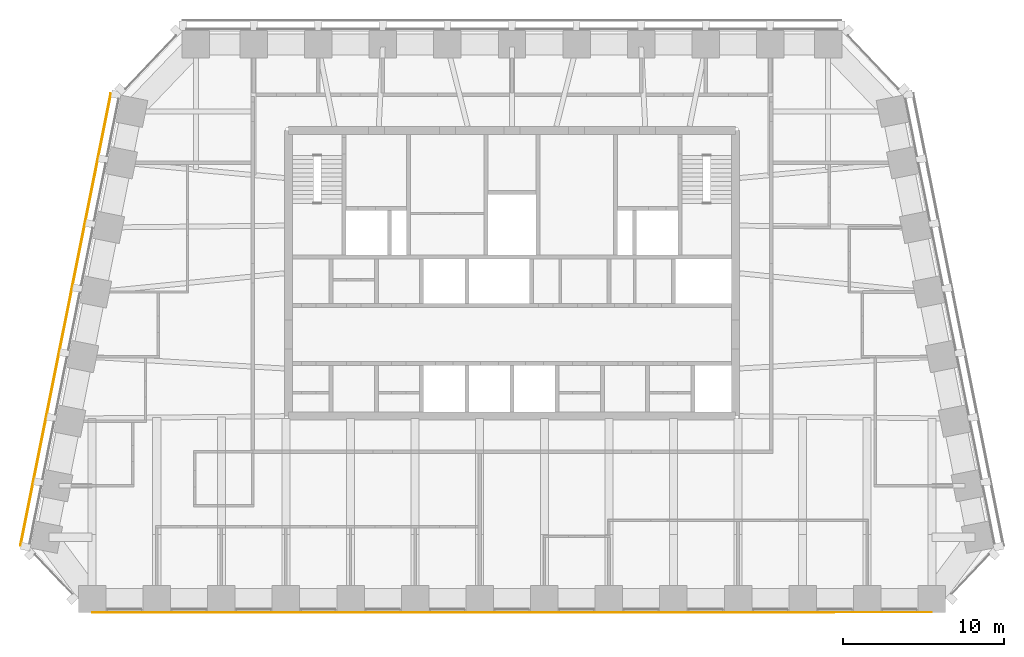
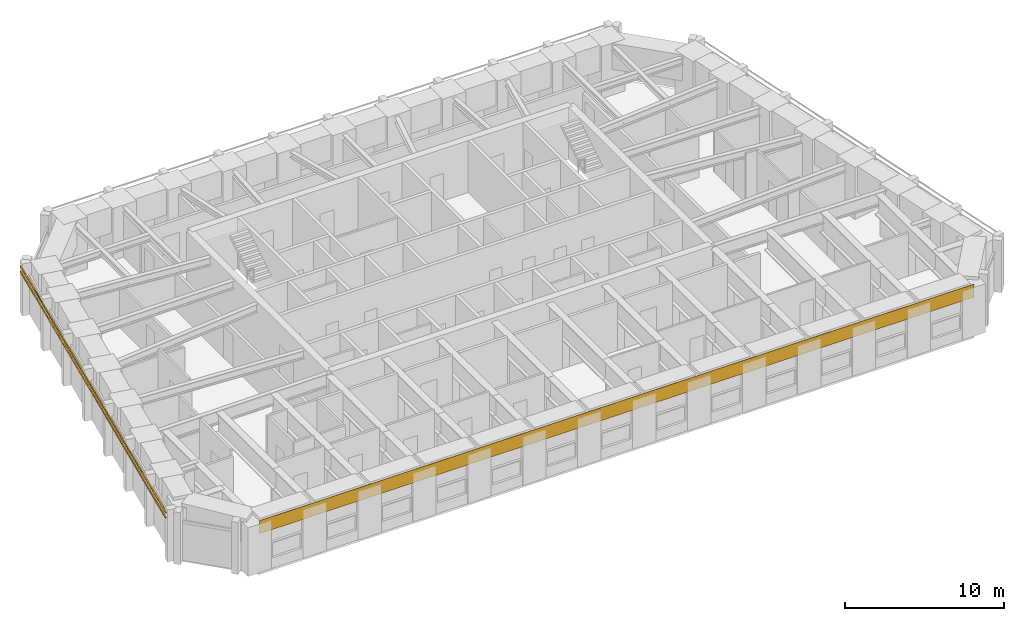
# One storey, part 10 of 12: 2 shading devices, 1 covering.
"""IFC4 building model written with IfcOpenShell, lengths in metres."""

from ifc_helpers import new_model, si_unit, direction, frame, origin, origin_2d, place, context, subcontext, project, spatial, rectangle, extrude, material, layer, layer_set, material_profile, profile_set, type_object, element, save


model = new_model("IFC4")

# Units and contexts
model_context = context("Model", 3, precision=1e-05, world=origin(), true_north=direction((0.0, 1.0)))
body_context = subcontext(model_context, "Body", "Model", "MODEL_VIEW")
ifc_project = project(units=[si_unit("LENGTHUNIT", "METRE"), si_unit("AREAUNIT", "SQUARE_METRE"), si_unit("VOLUMEUNIT", "CUBIC_METRE"), si_unit("PLANEANGLEUNIT", "RADIAN"), si_unit("MASSUNIT", "GRAM", prefix="KILO")], contexts=[model_context])

# Site, building, storey
site_placement = place(None, origin())
site = spatial("IfcSite", under=ifc_project, at=site_placement, CompositionType="ELEMENT")
building_placement = place(site_placement, origin())
building = spatial("IfcBuilding", under=site, at=building_placement, Name="Isbrekke Arena Tower", CompositionType="ELEMENT")
storey_placement = place(building_placement, frame((0.0, 0.0, 292.0)))
storey = spatial("IfcBuildingStorey", under=building, at=storey_placement, Name="L68", CompositionType="ELEMENT", Elevation=292.0)

# Shading devices
ifc_material_1 = material(Name="Terracotta", Category="masonry")
ifc_material_profile = material_profile(ifc_material_1, rectangle(XDim=0.06005859375, YDim=0.06005859375, at=origin_2d()), Name="BAGUETTE 60X60")
ifc_profile_set = profile_set([ifc_material_profile], Name="Terracotta")
shading_device_type = type_object("IfcShadingDeviceType", Name="BG1 TERRACOTTA BAGUETTE 60 x 60", PredefinedType="USERDEFINED", material=ifc_profile_set)
for number, where, z_axis, x_axis, name in (
    (1, (-24.84228515625, 26.12841796875, 3.280029296875), (-0.196119423591, -0.980580017995, 0.0), (0.980580017995, -0.196119423591, 0.0), "BG1 terracotta baguette W1 L68"),
    (2, (-24.84228515625, 26.12841796875, 3.679931640625), (-0.196119423591, -0.980580017995, 0.0), (0.980580017995, -0.196119423591, 0.0), "BG1 terracotta baguette W2 L68"),
):
    element("IfcShadingDevice", number, at=place(storey_placement, frame(where, z_axis=z_axis, x_axis=x_axis)), inside=storey, type_object=shading_device_type, Name=name, ObjectType="TERRACOTTA BAGUETTE", PredefinedType="USERDEFINED", context=body_context, shape_type="SweptSolid", body=[
        extrude(rectangle(XDim=0.06005859375, YDim=0.06005859375, at=origin_2d()), origin(), (0.0, 0.0, 1.0), 28.554443359375),
    ])

# Covering
ifc_material_2 = material(Name="Pre-patinated copper sheet", Category="metal")
ifc_layer = layer(ifc_material_2, 0.02001953125)
ifc_layer_set = layer_set([ifc_layer], Name="CL1 COPPER CLADDING")
covering_type = type_object("IfcCoveringType", Name="CL1 COPPER CLADDING", PredefinedType="CLADDING", material=ifc_layer_set)
covering_placement = place(storey_placement, frame((0.0, -6.010009765625, 3.0), z_axis=(0.0, 0.0, 1.0), x_axis=(1.0, 0.0, 0.0)))
element("IfcCovering", 3, at=covering_placement, inside=storey, type_object=covering_type, Name="CL1 copper cladding L68", PredefinedType="CLADDING", context=body_context, shape_type="SweptSolid", body=[
    extrude(rectangle(XDim=52.0, YDim=0.02001953125, at=origin_2d()), origin(), (0.0, 0.0, 1.0), 1.0),
])

save(model, "model.ifc")
